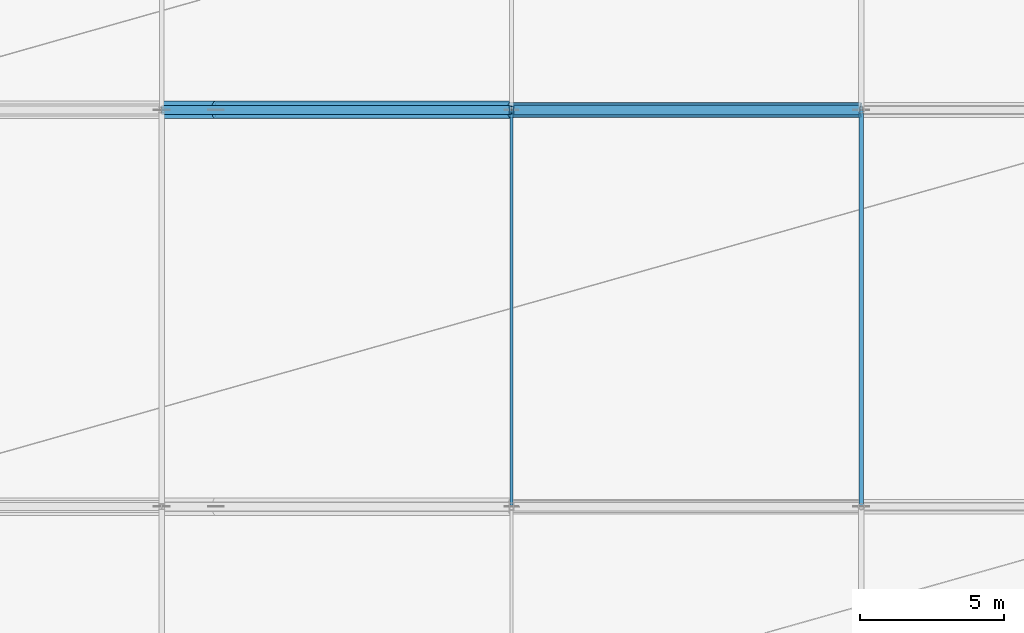
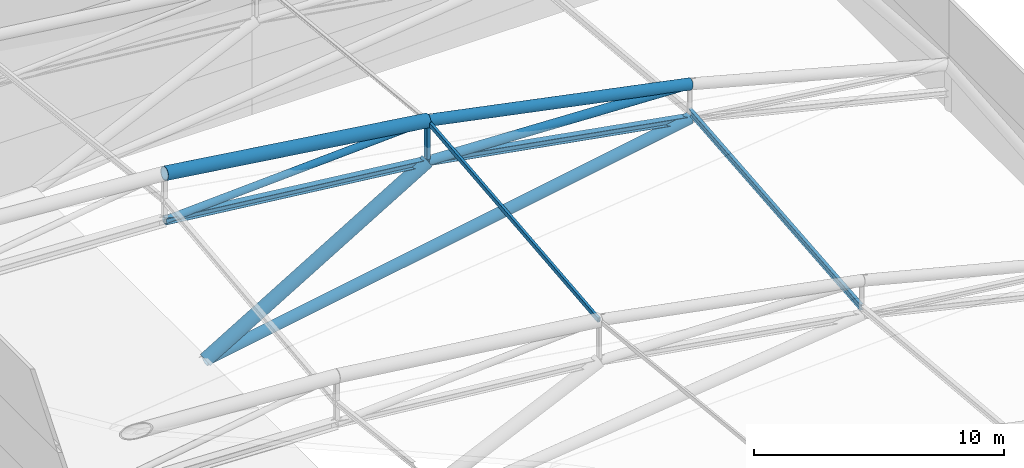
# One storey, part 23 of 36: 11 members.
"""IFC4 building model written with IfcOpenShell, lengths in metres."""

from ifc_helpers import new_model, si_unit, direction, frame, origin, origin_2d, place, context, subcontext, project, spatial, hollow_rectangle, hollow_circle, i_section, extrude, material, material_profile, profile_set, type_object, element, save


model = new_model("IFC4")

# Units and contexts
model_context = context("Model", 3, precision=1e-05, world=origin(), true_north=direction((0.0, 1.0)))
body_context = subcontext(model_context, "Body", "Model", "MODEL_VIEW")
ifc_project = project(units=[si_unit("LENGTHUNIT", "METRE"), si_unit("AREAUNIT", "SQUARE_METRE"), si_unit("VOLUMEUNIT", "CUBIC_METRE"), si_unit("PLANEANGLEUNIT", "RADIAN"), si_unit("MASSUNIT", "GRAM", prefix="KILO")], contexts=[model_context])

# Site, building, storey
site_placement = place(None, origin())
site = spatial("IfcSite", under=ifc_project, at=site_placement, CompositionType="ELEMENT")
building_placement = place(site_placement, origin())
building = spatial("IfcBuilding", under=site, at=building_placement, Name="Linyun Crest Stadium", CompositionType="ELEMENT")
storey_placement = place(building_placement, frame((0.0, 0.0, 31.60009765625)))
storey = spatial("IfcBuildingStorey", under=building, at=storey_placement, Name="RF", CompositionType="ELEMENT", Elevation=31.60009765625)

# Members
ifc_material_1 = material(Name="Steel Q355C", Category="steel")
ifc_material_profile_1 = material_profile(ifc_material_1, hollow_rectangle(XDim=0.1201171875, YDim=0.219970703125, WallThickness=0.008056640625, at=origin_2d()), Name="RHS 220x120x8")
ifc_profile_set_1 = profile_set([ifc_material_profile_1], Name="Steel Q355C")
member_type_1 = type_object("IfcMemberType", Name="AR03", PredefinedType="USERDEFINED", material=ifc_profile_set_1)
member_1_placement = place(storey_placement, frame((-59.75, 15.875, 6.473876953125), z_axis=(0.0, 0.994841166463, 0.101444829883), x_axis=(-1.0, 0.0, 0.0)))
element("IfcMember", 1, at=member_1_placement, inside=storey, type_object=member_type_1, Name="Art Nouveau canopy arch rib AR03 V1 176", ObjectType="ARCH RIB", PredefinedType="USERDEFINED", context=body_context, shape_type="SweptSolid", body=[
    extrude(hollow_rectangle(XDim=0.1201171875, YDim=0.219970703125, WallThickness=0.008056640625, at=origin_2d()), origin(), (0.0, 0.0, 1.0), 13.8212890625),
])
ifc_material_2 = material(Name="Steel Q355B", Category="steel")
ifc_material_profile_2 = material_profile(ifc_material_2, i_section(OverallWidth=0.14990234375, OverallDepth=0.300048828125, WebThickness=0.007080078125, FlangeThickness=0.009033203125, at=origin_2d()), Name="HN 300x150")
ifc_profile_set_2 = profile_set([ifc_material_profile_2], Name="Steel Q355B")
member_type_2 = type_object("IfcMemberType", Name="PR01", PredefinedType="PURLIN", material=ifc_profile_set_2)
member_2_placement = place(storey_placement, frame((-47.625, 15.875, 2.850830078125), z_axis=(0.0, 0.995866058674, 0.090833876836), x_axis=(-1.0, 0.0, 0.0)))
element("IfcMember", 2, at=member_2_placement, inside=storey, type_object=member_type_2, Name="Roof canopy purlin PR01 V1 174", PredefinedType="PURLIN", context=body_context, shape_type="SweptSolid", body=[
    extrude(i_section(OverallWidth=0.14990234375, OverallDepth=0.300048828125, WebThickness=0.007080078125, FlangeThickness=0.009033203125, at=origin_2d()), origin(), (0.0, 0.0, 1.0), 13.80712890625),
])
ifc_material_3 = material(Name="Steel Q420C", Category="steel")
ifc_material_profile_3 = material_profile(ifc_material_3, hollow_circle(Radius=0.25390625, WallThickness=0.02490234375, at=origin_2d()), Name="CHS 508x25")
ifc_profile_set_3 = profile_set([ifc_material_profile_3], Name="Steel Q420C")
member_type_3 = type_object("IfcMemberType", Name="TC01", PredefinedType="CHORD", material=ifc_profile_set_3)
member_3_placement = place(storey_placement, frame((-59.75, 29.625, 7.8759765625), z_axis=(0.980014256524, 0.0, -0.198927265625), x_axis=(0.0, 1.0, 0.0)))
element("IfcMember", 3, at=member_3_placement, inside=storey, type_object=member_type_3, Name="Roof truss top chord TC01 V1 124", PredefinedType="CHORD", context=body_context, shape_type="SweptSolid", body=[
    extrude(hollow_circle(Radius=0.25390625, WallThickness=0.02490234375, at=origin_2d()), origin(), (0.0, 0.0, 1.0), 12.372314453125),
])
member_4_placement = place(storey_placement, frame((-70.0, 29.625, -0.235107421875), z_axis=(0.984499461643, 0.0, 0.175387599405), x_axis=(0.0, 1.0, 0.0)))
element("IfcMember", 4, at=member_4_placement, inside=storey, type_object=member_type_3, Name="Roof arch forward V-strut TC01 V1 133", PredefinedType="CHORD", context=body_context, shape_type="SweptSolid", body=[
    extrude(hollow_circle(Radius=0.25390625, WallThickness=0.02490234375, at=origin_2d()), origin(), (0.0, 0.0, 1.0), 22.727294921875),
])
ifc_material_4 = material(Name="Steel Q420C", Category="steel")
ifc_material_profile_4 = material_profile(ifc_material_4, hollow_circle(Radius=0.304931640625, WallThickness=0.030029296875, at=origin_2d()), Name="CHS 610x30")
ifc_profile_set_4 = profile_set([ifc_material_profile_4], Name="Steel Q420C")
member_type_4 = type_object("IfcMemberType", Name="TC02", PredefinedType="CHORD", material=ifc_profile_set_4)
member_5_placement = place(storey_placement, frame((-71.875, 29.625, 9.537841796875), z_axis=(0.990737434894, 0.0, -0.135791513356), x_axis=(0.0, 1.0, 0.0)))
element("IfcMember", 5, at=member_5_placement, inside=storey, type_object=member_type_4, Name="Roof truss top chord TC02 V1 120", PredefinedType="CHORD", context=body_context, shape_type="SweptSolid", body=[
    extrude(hollow_circle(Radius=0.304931640625, WallThickness=0.030029296875, at=origin_2d()), origin(), (0.0, 0.0, 1.0), 12.23828125),
])
member_6_placement = place(storey_placement, frame((-70.0, 29.625, -0.235107421875), z_axis=(0.858046043836, 0.0, 0.513572766662), x_axis=(0.0, 1.0, 0.0)))
element("IfcMember", 6, at=member_6_placement, inside=storey, type_object=member_type_4, Name="Roof arch inclined support strut TC02 V1 132", PredefinedType="CHORD", context=body_context, shape_type="SweptSolid", body=[
    extrude(hollow_circle(Radius=0.304931640625, WallThickness=0.030029296875, at=origin_2d()), origin(), (0.0, 0.0, 1.0), 11.94580078125),
])
ifc_material_5 = material(Name="Steel Q355C", Category="steel")
ifc_material_profile_5 = material_profile(ifc_material_5, i_section(OverallWidth=0.300048828125, OverallDepth=0.300048828125, WebThickness=0.010009765625, FlangeThickness=0.014892578125, at=origin_2d()), Name="HW 300x300")
ifc_profile_set_5 = profile_set([ifc_material_profile_5], Name="Steel Q355C")
member_type_5 = type_object("IfcMemberType", Name="TC03", PredefinedType="CHORD", material=ifc_profile_set_5)
member_7_placement = place(storey_placement, frame((-71.875, 29.625, 7.25), z_axis=(0.993857838706, 0.0, -0.110664341335), x_axis=(0.0, 1.0, 0.0)))
element("IfcMember", 7, at=member_7_placement, inside=storey, type_object=member_type_5, Name="Roof truss bottom chord TC03 V1 121", PredefinedType="CHORD", context=body_context, shape_type="SweptSolid", body=[
    extrude(i_section(OverallWidth=0.300048828125, OverallDepth=0.300048828125, WebThickness=0.010009765625, FlangeThickness=0.014892578125, at=origin_2d()), origin(), (0.0, 0.0, 1.0), 12.199951171875),
])
member_8_placement = place(storey_placement, frame((-59.75, 29.625, 5.89990234375), z_axis=(0.984655151778, 0.0, -0.174511409591), x_axis=(0.0, 1.0, 0.0)))
element("IfcMember", 8, at=member_8_placement, inside=storey, type_object=member_type_5, Name="Roof truss bottom chord TC03 V1 125", PredefinedType="CHORD", context=body_context, shape_type="SweptSolid", body=[
    extrude(i_section(OverallWidth=0.300048828125, OverallDepth=0.300048828125, WebThickness=0.010009765625, FlangeThickness=0.014892578125, at=origin_2d()), origin(), (0.0, 0.0, 1.0), 12.31396484375),
])
ifc_material_6 = material(Name="Steel Q355C", Category="steel")
ifc_material_profile_6 = material_profile(ifc_material_6, hollow_circle(Radius=0.16259765625, WallThickness=0.01611328125, at=origin_2d()), Name="CHS 325x16")
ifc_profile_set_6 = profile_set([ifc_material_profile_6], Name="Steel Q355C")
member_type_6 = type_object("IfcMemberType", Name="TD02", PredefinedType="BRACE", material=ifc_profile_set_6)
member_9_placement = place(storey_placement, frame((-71.875, 29.625, 7.25), z_axis=(0.998669988006, 0.0, 0.05155826855), x_axis=(0.0, 1.0, 0.0)))
element("IfcMember", 9, at=member_9_placement, inside=storey, type_object=member_type_6, Name="Roof truss diagonal TD02 V1 122", PredefinedType="BRACE", context=body_context, shape_type="SweptSolid", body=[
    extrude(hollow_circle(Radius=0.16259765625, WallThickness=0.01611328125, at=origin_2d()), origin(), (0.0, 0.0, 1.0), 12.14111328125),
])
ifc_material_7 = material(Name="Steel Q420C", Category="steel")
ifc_material_profile_7 = material_profile(ifc_material_7, hollow_circle(Radius=0.202880859375, WallThickness=0.02001953125, at=origin_2d()), Name="CHS 406x20")
ifc_profile_set_7 = profile_set([ifc_material_profile_7], Name="Steel Q420C")
member_type_7 = type_object("IfcMemberType", Name="TD03", PredefinedType="BRACE", material=ifc_profile_set_7)
member_10_placement = place(storey_placement, frame((-59.75, 29.625, 5.89990234375), z_axis=(0.99920060515, 0.0, -0.03997687666), x_axis=(0.0, 1.0, 0.0)))
element("IfcMember", 10, at=member_10_placement, inside=storey, type_object=member_type_7, Name="Roof truss diagonal TD03 V1 126", PredefinedType="BRACE", context=body_context, shape_type="SweptSolid", body=[
    extrude(hollow_circle(Radius=0.202880859375, WallThickness=0.02001953125, at=origin_2d()), origin(), (0.0, 0.0, 1.0), 12.134765625),
])
ifc_material_8 = material(Name="Steel Q355C", Category="steel")
ifc_material_profile_8 = material_profile(ifc_material_8, hollow_rectangle(XDim=0.14990234375, YDim=0.25, WallThickness=0.010009765625, at=origin_2d()), Name="RHS 250x150x10")
ifc_profile_set_8 = profile_set([ifc_material_profile_8], Name="Steel Q355C")
member_type_8 = type_object("IfcMemberType", Name="TV03", PredefinedType="STRUT", material=ifc_profile_set_8)
member_11_placement = place(storey_placement, frame((-59.75, 29.625, 5.89990234375), z_axis=(0.0, 0.0, 1.0), x_axis=(1.0, 0.0, 0.0)))
element("IfcMember", 11, at=member_11_placement, inside=storey, type_object=member_type_8, Name="Roof vertical strut TV03 V1 127", PredefinedType="STRUT", context=body_context, shape_type="SweptSolid", body=[
    extrude(hollow_rectangle(XDim=0.14990234375, YDim=0.25, WallThickness=0.010009765625, at=origin_2d()), origin(), (0.0, 0.0, 1.0), 1.97607421875),
])

save(model, "model.ifc")
